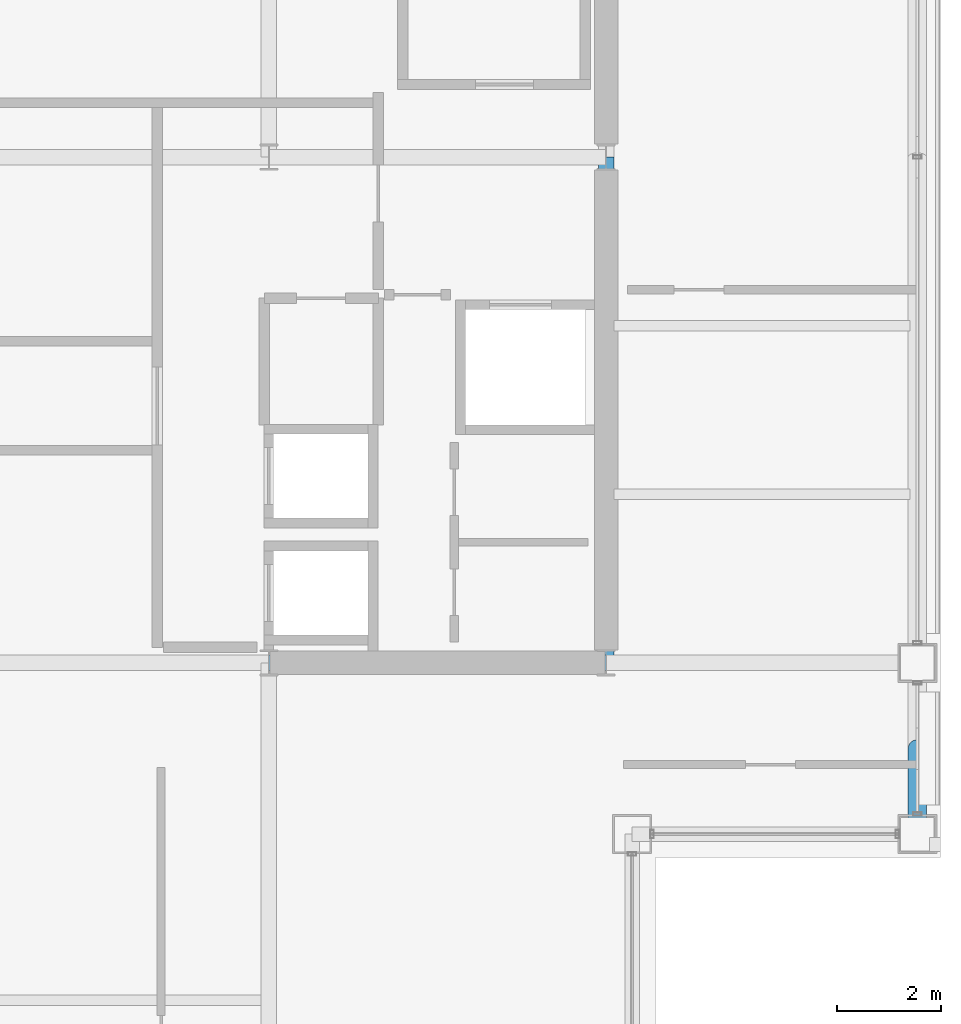
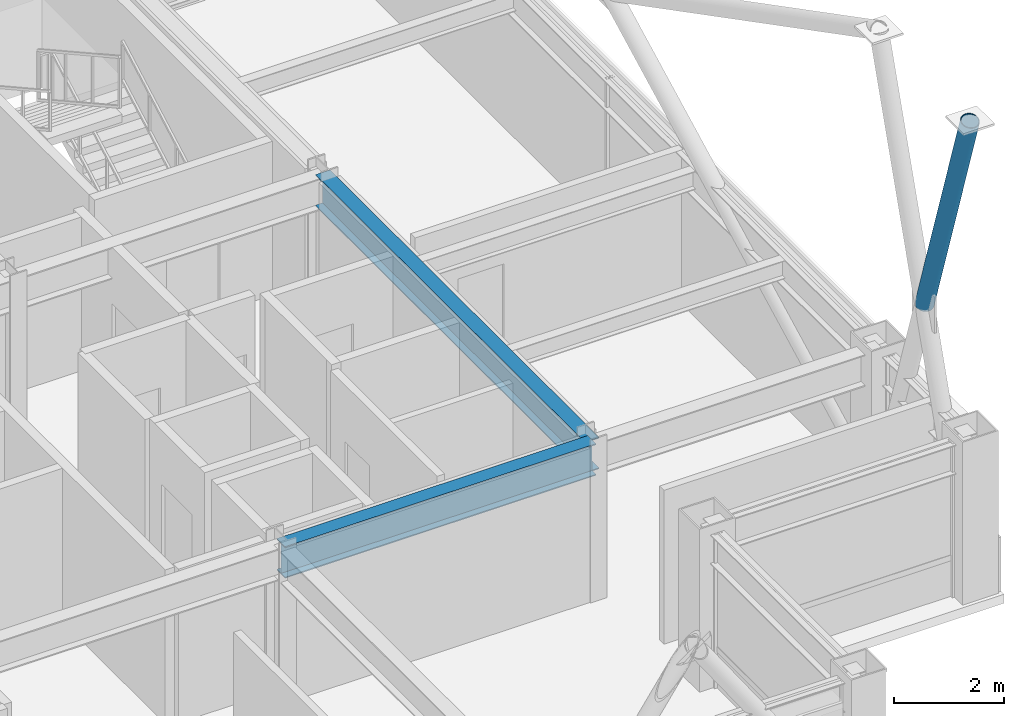
# One storey, part 14 of 32: 2 beams, 1 member.
"""IFC4 building model written with IfcOpenShell, lengths in metres."""

import ifcopenshell
import ifcopenshell.guid

model = None  # the IFC model being written
_history = None  # IfcOwnerHistory: only IFC2X3 demands one
_inside = {}  # id of a spatial element -> (the spatial element, [elements in it])
_under = {}  # id of a project, library or spatial element -> (it, [spatial elements below it])
_declared = {}  # id of a project -> (the project, [libraries it declares])
_typed = {}  # id of a type object -> (the type object, [elements of that type])
_made_of = {}  # id of a material, layer set ... -> (it, [elements and type objects made of it])


def new_model(schema):
    """Start an empty IFC model of exactly this schema.

    Asked for "IFC4X3", IfcOpenShell would pick the latest addendum, in which some entities
    have other attributes; the version numbers below select the first issue.
    IFC2X3 requires an IfcOwnerHistory on every rooted entity: one is made here for all.
    """
    global model, _history
    if schema == "IFC4X3":
        model = ifcopenshell.file(schema_version=(4, 3, 0, 0))
    else:
        model = ifcopenshell.file(schema=schema)
    _inside.clear()
    _under.clear()
    _declared.clear()
    _typed.clear()
    _made_of.clear()
    _history = None
    if model.schema == "IFC2X3":
        org = make("IfcOrganization", Name="unknown")
        user = make(
            "IfcPersonAndOrganization",
            ThePerson=make("IfcPerson", FamilyName="unknown"),
            TheOrganization=org,
        )
        app = make(
            "IfcApplication",
            ApplicationDeveloper=org,
            Version="unknown",
            ApplicationFullName="unknown",
            ApplicationIdentifier="unknown",
        )
        _history = make(
            "IfcOwnerHistory",
            OwningUser=user,
            OwningApplication=app,
            ChangeAction="ADDED",
            CreationDate=0,
        )
    return model


def make(cls, **values):
    """One entity of the class cls with the attributes given. An attribute that is None is left unset."""
    return model.create_entity(
        cls, **{name: value for name, value in values.items() if value is not None}
    )


def rooted(cls, **values):
    """An entity with a GlobalId (a new one), such as an element, a storey or a relation."""
    return make(cls, GlobalId=ifcopenshell.guid.new(), OwnerHistory=_history, **values)


def si_unit(unit_type, name, prefix=None):
    """IfcSIUnit, for example si_unit("LENGTHUNIT", "METRE", prefix="MILLI")."""
    return make("IfcSIUnit", UnitType=unit_type, Prefix=prefix, Name=name)


def assignment(units):
    """IfcUnitAssignment: the units of a project."""
    return None if units is None else make("IfcUnitAssignment", Units=units)


def point(xyz):
    """IfcCartesianPoint."""
    return None if xyz is None else make("IfcCartesianPoint", Coordinates=xyz)


def direction(xyz):
    """IfcDirection."""
    return None if xyz is None else make("IfcDirection", DirectionRatios=xyz)


def frame(location, z_axis=None, x_axis=None):
    """IfcAxis2Placement3D, a coordinate frame: its origin and axes. An axis left out is left unset."""
    return make(
        "IfcAxis2Placement3D",
        Location=point(location),
        Axis=direction(z_axis),
        RefDirection=direction(x_axis),
    )


def frame_2d(location, x_axis=None):
    """IfcAxis2Placement2D, a coordinate frame in the plane: its origin and x axis."""
    return make(
        "IfcAxis2Placement2D", Location=point(location), RefDirection=direction(x_axis)
    )


def origin():
    """The frame at (0, 0, 0) with its axes left unset."""
    return frame((0.0, 0.0, 0.0))


def origin_2d():
    """The frame at (0, 0) in the plane with its x axis left unset."""
    return frame_2d((0.0, 0.0))


def place(relative_to, where):
    """IfcLocalPlacement: puts the frame where relative to a parent placement (None: the world)."""
    return make(
        "IfcLocalPlacement", PlacementRelTo=relative_to, RelativePlacement=where
    )


def context(
    kind, dimensions, precision=None, world=None, true_north=None, identifier=None
):
    """IfcGeometricRepresentationContext, for example the 3D "Model" context."""
    return make(
        "IfcGeometricRepresentationContext",
        ContextIdentifier=identifier,
        ContextType=kind,
        CoordinateSpaceDimension=dimensions,
        Precision=precision,
        WorldCoordinateSystem=world,
        TrueNorth=true_north,
    )


def subcontext(parent, identifier, kind, view, scale=None):
    """IfcGeometricRepresentationSubContext, for example "Body" below "Model"."""
    return make(
        "IfcGeometricRepresentationSubContext",
        ContextIdentifier=identifier,
        ContextType=kind,
        ParentContext=parent,
        TargetScale=scale,
        TargetView=view,
    )


def project(units=None, contexts=None):
    """IfcProject with its units and contexts."""
    return rooted(
        "IfcProject",
        Name="project",
        RepresentationContexts=contexts,
        UnitsInContext=assignment(units),
    )


def spatial(cls, under=None, at=None, **own):
    """A site, building, storey or space (cls), placed at a placement, below another one or the project."""
    s = rooted(cls, ObjectPlacement=at, **own)
    if under is not None:
        _under.setdefault(under.id(), (under, []))[1].append(s)
    return s


def profile(cls, at=None, kind="AREA", **sizes):
    """A parametric profile (cls). Its sizes go by their IFC names, for example OverallWidth=200.0."""
    return make(cls, ProfileType=kind, Position=at, **sizes)


def hollow_circle(**sizes):
    """IfcCircleHollowProfileDef."""
    return profile("IfcCircleHollowProfileDef", **sizes)


def i_section(**sizes):
    """IfcIShapeProfileDef."""
    return profile("IfcIShapeProfileDef", **sizes)


def extrude(swept, where, along, depth):
    """IfcExtrudedAreaSolid: the profile swept, set in the frame where, extruded along a direction by depth."""
    return make(
        "IfcExtrudedAreaSolid",
        SweptArea=swept,
        Position=where,
        ExtrudedDirection=direction(along),
        Depth=depth,
    )


def shape(context_of_items, identifier, shape_type, items):
    """IfcShapeRepresentation: the items that make up one representation, for example the "Body"."""
    return make(
        "IfcShapeRepresentation",
        ContextOfItems=context_of_items,
        RepresentationIdentifier=identifier,
        RepresentationType=shape_type,
        Items=items,
    )


def material(Name=None, Category=None):
    """IfcMaterial."""
    return make("IfcMaterial", Name=Name, Category=Category)


def material_profile(
    of_material, cross_section, Name=None, Category=None, Priority=None
):
    """IfcMaterialProfile: a cross section and its material."""
    return make(
        "IfcMaterialProfile",
        Name=Name,
        Material=of_material,
        Profile=cross_section,
        Priority=Priority,
        Category=Category,
    )


def profile_set(profiles, Name=None, composite=None):
    """IfcMaterialProfileSet."""
    return make(
        "IfcMaterialProfileSet",
        Name=Name,
        MaterialProfiles=profiles,
        CompositeProfile=composite,
    )


def made_of(thing, what):
    """Note that an element or type object is made of a material, layer set ...; save() writes the relation."""
    if what is not None:
        _made_of.setdefault(what.id(), (what, []))[1].append(thing)
    return thing


def type_object(cls, material=None, **own):
    """A type object (cls), such as IfcWallType, which elements share."""
    return made_of(rooted(cls, **own), material)


def element(
    cls,
    number,
    at=None,
    inside=None,
    cuts=None,
    type_object=None,
    material=None,
    context=None,
    identifier="Body",
    shape_type=None,
    held_by="IfcProductDefinitionShape",
    body=None,
    shapes=None,
    **own,
):
    """One element of the class cls, such as IfcWall. Its Tag is "e" and its number.

    at: its placement. inside: the storey or other place that contains it. cuts: it is an
    opening in that element (IfcRelVoidsElement). A single representation is given by context,
    identifier, shape_type and body (its items); several are given by shapes. held_by: the class
    of the entity that holds the representations. save() writes the other relations.
    """
    e = rooted(cls, Tag="e%d" % number, ObjectPlacement=at, **own)
    if body is not None:
        shapes = [shape(context, identifier, shape_type, body)]
    if shapes is not None:
        e.Representation = make(held_by, Representations=shapes)
    if inside is not None:
        _inside.setdefault(inside.id(), (inside, []))[1].append(e)
    if cuts is not None:
        rooted(
            "IfcRelVoidsElement", RelatingBuildingElement=cuts, RelatedOpeningElement=e
        )
    if type_object is not None:
        _typed.setdefault(type_object.id(), (type_object, []))[1].append(e)
    return made_of(e, material)


def aggregate(whole, parts):
    """IfcRelAggregates: a whole, such as a stair, and the parts it consists of."""
    return rooted("IfcRelAggregates", RelatingObject=whole, RelatedObjects=parts)


def save(model, path):
    """Write the relations noted so far, then the file.

    IfcRelAggregates (storeys below a building ...), IfcRelContainedInSpatialStructure (elements
    in a storey), IfcRelDefinesByType, IfcRelAssociatesMaterial and IfcRelDeclares: one each for
    every whole, place, type object, material and project.
    """
    for whole, parts in _under.values():
        aggregate(whole, parts)
    for where, things in _inside.values():
        rooted(
            "IfcRelContainedInSpatialStructure",
            RelatedElements=things,
            RelatingStructure=where,
        )
    for kind, things in _typed.values():
        rooted("IfcRelDefinesByType", RelatedObjects=things, RelatingType=kind)
    for what, things in _made_of.values():
        rooted("IfcRelAssociatesMaterial", RelatedObjects=things, RelatingMaterial=what)
    for by, libraries in _declared.values():
        rooted("IfcRelDeclares", RelatingContext=by, RelatedDefinitions=libraries)
    model.write(path)


model = new_model("IFC4")

# Units and contexts
model_context = context("Model", 3, precision=1e-05, world=origin(), true_north=direction((0.0, 1.0)))
body_context = subcontext(model_context, "Body", "Model", "MODEL_VIEW")
ifc_project = project(units=[si_unit("LENGTHUNIT", "METRE"), si_unit("AREAUNIT", "SQUARE_METRE"), si_unit("VOLUMEUNIT", "CUBIC_METRE"), si_unit("PLANEANGLEUNIT", "RADIAN"), si_unit("MASSUNIT", "GRAM", prefix="KILO")], contexts=[model_context])

# Site, building, storey
site_placement = place(None, origin())
site = spatial("IfcSite", under=ifc_project, at=site_placement, CompositionType="ELEMENT")
building_placement = place(site_placement, origin())
building = spatial("IfcBuilding", under=site, at=building_placement, Name="Brelmoor Portico Tower", CompositionType="ELEMENT")
storey_placement = place(building_placement, frame((0.0, 0.0, 162.300048828125)))
storey = spatial("IfcBuildingStorey", under=building, at=storey_placement, Name="L42", CompositionType="ELEMENT", Elevation=162.300048828125)

# Beams
ifc_material = material(Name="Steel Q355B", Category="steel")
ifc_material_profile_1 = material_profile(ifc_material, i_section(OverallWidth=0.300048828125, OverallDepth=0.699951171875, WebThickness=0.012939453125, FlangeThickness=0.02392578125, at=origin_2d()), Name="HN 700x300x13x24")
ifc_profile_set_1 = profile_set([ifc_material_profile_1], Name="Steel Q355B")
beam_type = type_object("IfcBeamType", Name="BM-PG-700", PredefinedType="BEAM", material=ifc_profile_set_1)
beam_1_placement = place(storey_placement, frame((14.550048828125, -9.75, 3.050048828125), z_axis=(0.0, 1.0, 0.0), x_axis=(-1.0, 0.0, 0.0)))
element("IfcBeam", 1, at=beam_1_placement, inside=storey, type_object=beam_type, Name="L42 Primary Floor Girder PG-09", PredefinedType="BEAM", context=body_context, shape_type="SweptSolid", body=[
    extrude(i_section(OverallWidth=0.300048828125, OverallDepth=0.699951171875, WebThickness=0.012939453125, FlangeThickness=0.02392578125, at=origin_2d()), origin(), (0.0, 0.0, 1.0), 9.75),
])
beam_2_placement = place(storey_placement, frame((8.050048828125, -9.75, 3.050048828125), z_axis=(1.0, 0.0, 0.0), x_axis=(0.0, 1.0, 0.0)))
element("IfcBeam", 2, at=beam_2_placement, inside=storey, type_object=beam_type, Name="L42 Primary Floor Girder PG-14", PredefinedType="BEAM", context=body_context, shape_type="SweptSolid", body=[
    extrude(i_section(OverallWidth=0.300048828125, OverallDepth=0.699951171875, WebThickness=0.012939453125, FlangeThickness=0.02392578125, at=origin_2d()), origin(), (0.0, 0.0, 1.0), 6.5),
])

# Member
ifc_material_profile_2 = material_profile(ifc_material, hollow_circle(Radius=0.177978515625, WallThickness=0.01611328125, at=origin_2d()), Name="CHS 356x16")
ifc_profile_set_2 = profile_set([ifc_material_profile_2], Name="Steel Q355B")
member_type = type_object("IfcMemberType", Name="MB-BELT-DIAG2", PredefinedType="BRACE", material=ifc_profile_set_2)
member_placement = place(storey_placement, frame((20.550048828125, -11.39990234375, 5.300048828125), z_axis=(0.0, -0.310611106373, 0.950537080075), x_axis=(1.0, 0.0, 0.0)))
element("IfcMember", 3, at=member_placement, inside=storey, type_object=member_type, Name="L42 Split Mega-X Brace 095B2", PredefinedType="BRACE", context=body_context, shape_type="SweptSolid", body=[
    extrude(hollow_circle(Radius=0.177978515625, WallThickness=0.01611328125, at=origin_2d()), origin(), (0.0, 0.0, 1.0), 5.3125),
])

save(model, "model.ifc")
